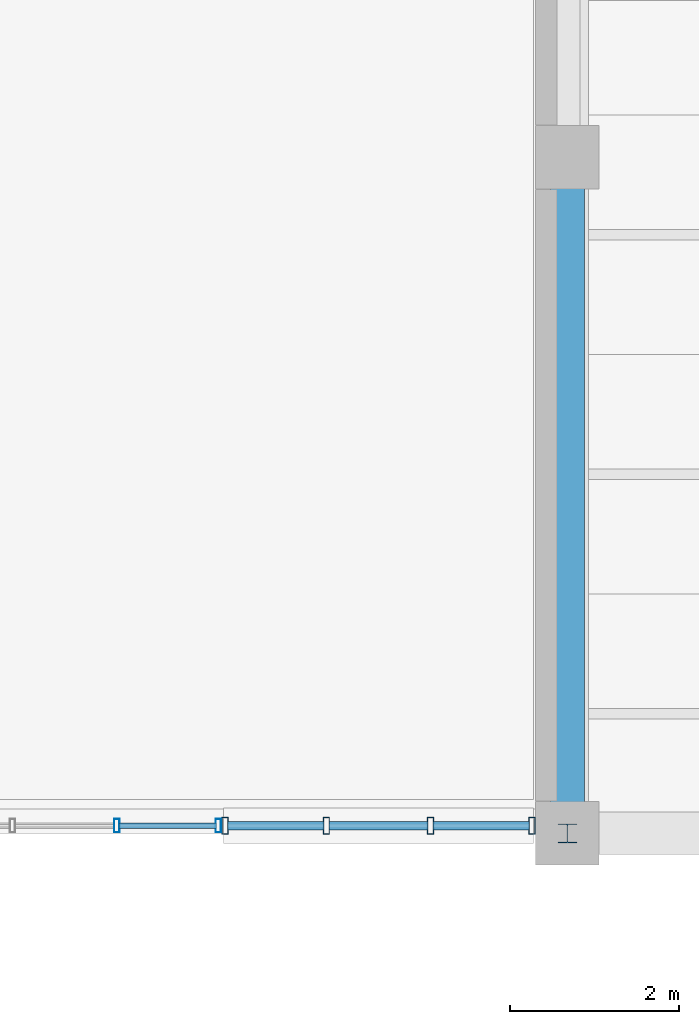
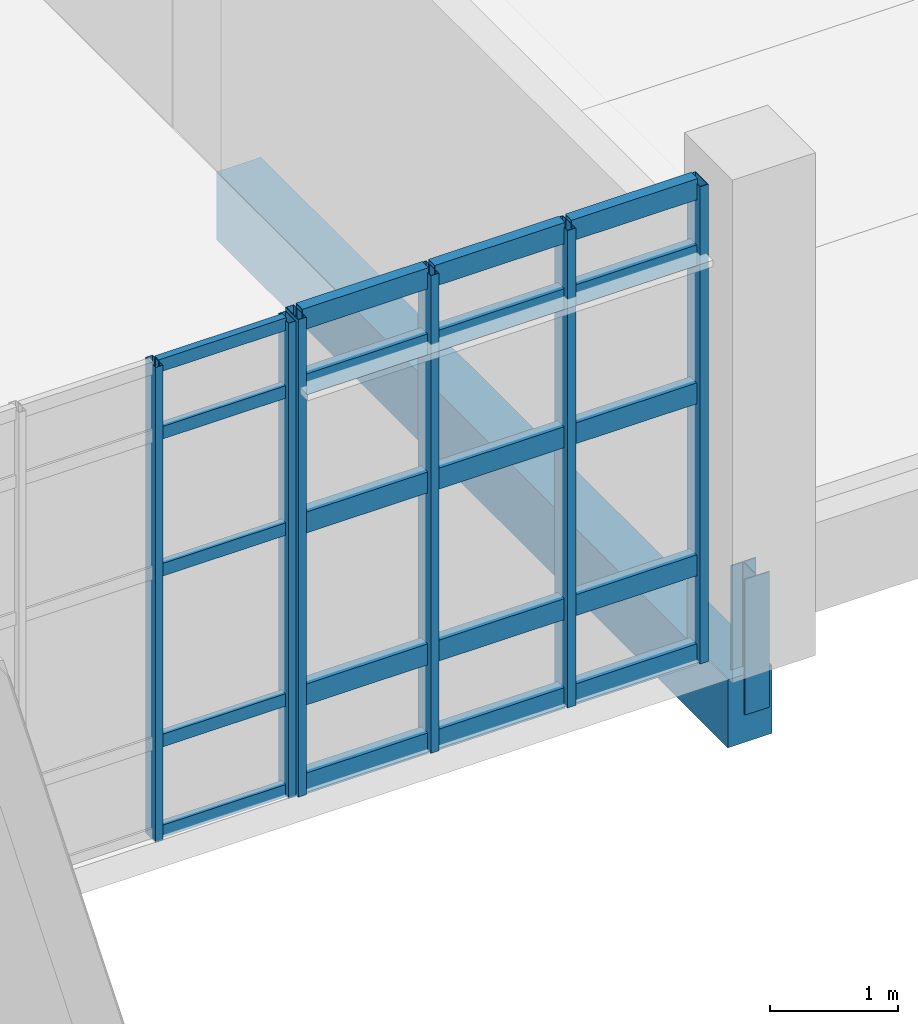
# One storey, part 39 of 100: 27 members, 1 beam, 2 elements without a shape of their own.
"""IFC4 building model written with IfcOpenShell, lengths in metres."""

from ifc_helpers import new_model, si_unit, derived_unit, direction, frame, origin, origin_2d, place, context, subcontext, project, spatial, rectangle, hollow_rectangle, i_section, extrude, material, layer, layer_set, material_profile, profile_set, type_object, element, aggregate, save


model = new_model("IFC4")

# Units and contexts
model_context = context("Model", 3, precision=1e-05, world=origin(), true_north=direction((0.0, 1.0)))
body_context = subcontext(model_context, "Body", "Model", "MODEL_VIEW")
ifc_project = project(units=[si_unit("LENGTHUNIT", "METRE"), si_unit("AREAUNIT", "SQUARE_METRE"), si_unit("VOLUMEUNIT", "CUBIC_METRE"), si_unit("PLANEANGLEUNIT", "RADIAN"), si_unit("MASSUNIT", "GRAM", prefix="KILO"), derived_unit("THERMALTRANSMITTANCEUNIT", [(si_unit("POWERUNIT", "WATT"), 1), (si_unit("LENGTHUNIT", "METRE"), -2), (si_unit("THERMODYNAMICTEMPERATUREUNIT", "KELVIN"), -1)])], contexts=[model_context])

# Site, building, storey
site_placement = place(None, origin())
site = spatial("IfcSite", under=ifc_project, at=site_placement, CompositionType="ELEMENT")
building_placement = place(site_placement, origin())
building = spatial("IfcBuilding", under=site, at=building_placement, Name="Nallur Shell Playhouse", CompositionType="ELEMENT")
storey_placement = place(building_placement, frame((0.0, 0.0, 10.199951171875)))
storey = spatial("IfcBuildingStorey", under=building, at=storey_placement, Name="L03", CompositionType="ELEMENT", Elevation=10.199951171875)

# Beam
ifc_material_1 = material(Name="Concrete M35", Category="concrete")
ifc_material_profile_1 = material_profile(ifc_material_1, rectangle(XDim=0.39990234375, YDim=0.64990234375, at=origin_2d()), Name="RC 400x650")
ifc_profile_set_1 = profile_set([ifc_material_profile_1], Name="Concrete M35")
beam_type = type_object("IfcBeamType", Name="BM-RC-400x650", PredefinedType="BEAM", material=ifc_profile_set_1)
beam_placement = place(storey_placement, frame((126.39990234375, 24.0, -0.5849609375), z_axis=(0.0, 1.0, 0.0), x_axis=(-1.0, 0.0, 0.0)))
element("IfcBeam", 1, at=beam_placement, inside=storey, type_object=beam_type, Name="L03 girder Y-16-671", PredefinedType="BEAM", context=body_context, shape_type="SweptSolid", body=[
    extrude(rectangle(XDim=0.39990234375, YDim=0.64990234375, at=origin_2d()), origin(), (0.0, 0.0, 1.0), 8.0),
])

# Curtain wall, members
ifc_material_2 = material(Name="Anodised Aluminium Double-Glazed Facade System", Category="aluminium")
ifc_layer_1 = layer(ifc_material_2, 0.1640625)
ifc_layer_set_1 = layer_set([ifc_layer_1], Name="Anodised Aluminium Double-Glazed Facade System")
curtain_wall_type_1 = type_object("IfcCurtainWallType", Name="CW-UNIT-01", PredefinedType="NOTDEFINED", material=ifc_layer_set_1)
curtain_wall_1_placement = place(storey_placement, origin())
curtain_wall_1 = element("IfcCurtainWall", 2, at=curtain_wall_1_placement, inside=storey, type_object=curtain_wall_type_1, Name="Unitised curtain wall CW-097 (L03)", PredefinedType="NOTDEFINED")
ifc_material_3 = material(Name="Aluminium Alloy 6063-T6 Mullion", Category="aluminium")
ifc_material_profile_2 = material_profile(ifc_material_3, hollow_rectangle(XDim=0.06494140625, YDim=0.159912109375, WallThickness=0.00390625, at=origin_2d()), Name="ALU 65x160x4")
ifc_profile_set_2 = profile_set([ifc_material_profile_2], Name="Aluminium Alloy 6063-T6 Mullion")
member_type_1 = type_object("IfcMemberType", Name="MB-CW-MUL160", PredefinedType="MULLION", material=ifc_profile_set_2)
member_1_placement = place(storey_placement, frame((122.27099609375, 24.090087890625, -0.014892578125), z_axis=(0.0, 0.0, 1.0), x_axis=(-1.0, 0.0, 0.0)))
member_1 = element("IfcMember", 3, at=member_1_placement, type_object=member_type_1, Name="CW-01 mullion 1", PredefinedType="MULLION", context=body_context, shape_type="SweptSolid", body=[
    extrude(hollow_rectangle(XDim=0.06494140625, YDim=0.159912109375, WallThickness=0.00390625, at=origin_2d()), origin(), (0.0, 0.0, 1.0), 4.5390625),
])
member_2_placement = place(storey_placement, frame((121.069091796875, 24.090087890625, -0.014892578125), z_axis=(0.0, 0.0, 1.0), x_axis=(-1.0, 0.0, 0.0)))
member_2 = element("IfcMember", 4, at=member_2_placement, type_object=member_type_1, Name="CW-01 mullion 2", PredefinedType="MULLION", context=body_context, shape_type="SweptSolid", body=[
    extrude(hollow_rectangle(XDim=0.06494140625, YDim=0.159912109375, WallThickness=0.00390625, at=origin_2d()), origin(), (0.0, 0.0, 1.0), 4.5390625),
])

ifc_layer_2 = layer(ifc_material_2, 0.16796875)
ifc_layer_set_2 = layer_set([ifc_layer_2], Name="Anodised Aluminium Double-Glazed Facade System")
curtain_wall_type_2 = type_object("IfcCurtainWallType", Name="CW-UNIT-32", PredefinedType="NOTDEFINED", material=ifc_layer_set_2)
curtain_wall_2_placement = place(storey_placement, origin())
curtain_wall_2 = element("IfcCurtainWall", 5, at=curtain_wall_2_placement, inside=storey, type_object=curtain_wall_type_2, Name="Unitised curtain wall CW-096 (L03)", PredefinedType="NOTDEFINED")
ifc_material_profile_3 = material_profile(ifc_material_3, hollow_rectangle(XDim=0.074951171875, YDim=0.199951171875, WallThickness=0.0048828125, at=origin_2d()), Name="ALU 75x200x5")
ifc_profile_set_3 = profile_set([ifc_material_profile_3], Name="Aluminium Alloy 6063-T6 Mullion")
member_type_2 = type_object("IfcMemberType", Name="MB-CW-MUL180", PredefinedType="MULLION", material=ifc_profile_set_3)
member_3_placement = place(storey_placement, frame((125.9794921875, 24.090087890625, -0.014892578125), z_axis=(0.0, 0.0, 1.0), x_axis=(-1.0, 0.0, 0.0)))
member_3 = element("IfcMember", 6, at=member_3_placement, type_object=member_type_2, Name="CW-32 mullion 1", PredefinedType="MULLION", context=body_context, shape_type="SweptSolid", body=[
    extrude(hollow_rectangle(XDim=0.074951171875, YDim=0.199951171875, WallThickness=0.0048828125, at=origin_2d()), origin(), (0.0, 0.0, 1.0), 4.558837890625),
])
member_4_placement = place(storey_placement, frame((124.782470703125, 24.090087890625, -0.014892578125), z_axis=(0.0, 0.0, 1.0), x_axis=(-1.0, 0.0, 0.0)))
member_4 = element("IfcMember", 7, at=member_4_placement, type_object=member_type_2, Name="CW-32 mullion 2", PredefinedType="MULLION", context=body_context, shape_type="SweptSolid", body=[
    extrude(hollow_rectangle(XDim=0.074951171875, YDim=0.199951171875, WallThickness=0.0048828125, at=origin_2d()), origin(), (0.0, 0.0, 1.0), 4.558837890625),
])
member_5_placement = place(storey_placement, frame((123.548095703125, 24.090087890625, -0.014892578125), z_axis=(0.0, 0.0, 1.0), x_axis=(-1.0, 0.0, 0.0)))
member_5 = element("IfcMember", 8, at=member_5_placement, type_object=member_type_2, Name="CW-32 mullion 3", PredefinedType="MULLION", context=body_context, shape_type="SweptSolid", body=[
    extrude(hollow_rectangle(XDim=0.074951171875, YDim=0.199951171875, WallThickness=0.0048828125, at=origin_2d()), origin(), (0.0, 0.0, 1.0), 4.558837890625),
])
member_6_placement = place(storey_placement, frame((122.35107421875, 24.090087890625, -0.014892578125), z_axis=(0.0, 0.0, 1.0), x_axis=(-1.0, 0.0, 0.0)))
member_6 = element("IfcMember", 9, at=member_6_placement, type_object=member_type_2, Name="CW-32 mullion 4", PredefinedType="MULLION", context=body_context, shape_type="SweptSolid", body=[
    extrude(hollow_rectangle(XDim=0.074951171875, YDim=0.199951171875, WallThickness=0.0048828125, at=origin_2d()), origin(), (0.0, 0.0, 1.0), 4.558837890625),
])

# Member
ifc_material_4 = material(Name="Aluminium Alloy 6063-T6 Transom", Category="aluminium")
ifc_material_profile_4 = material_profile(ifc_material_4, hollow_rectangle(XDim=0.06494140625, YDim=0.1201171875, WallThickness=0.00390625, at=origin_2d()), Name="ALU 65x120x4")
ifc_profile_set_4 = profile_set([ifc_material_profile_4], Name="Aluminium Alloy 6063-T6 Transom")
member_type_3 = type_object("IfcMemberType", Name="MB-CW-TRN120", PredefinedType="USERDEFINED", material=ifc_profile_set_4)
member_7_placement = place(storey_placement, frame((122.24658203125, 24.090087890625, 0.032470703125), z_axis=(-1.0, 0.0, 0.0), x_axis=(0.0, -1.0, 0.0)))
member_7 = element("IfcMember", 10, at=member_7_placement, type_object=member_type_3, Name="CW-01 transom 1.1", ObjectType="TRANSOM", PredefinedType="USERDEFINED", context=body_context, shape_type="SweptSolid", body=[
    extrude(hollow_rectangle(XDim=0.06494140625, YDim=0.1201171875, WallThickness=0.00390625, at=origin_2d()), origin(), (0.0, 0.0, 1.0), 1.153076171875),
])

member_8_placement = place(storey_placement, frame((122.24658203125, 24.090087890625, 0.900146484375), z_axis=(-1.0, 0.0, 0.0), x_axis=(0.0, -1.0, 0.0)))
member_8 = element("IfcMember", 11, at=member_8_placement, type_object=member_type_3, Name="CW-01 transom 1.2", ObjectType="TRANSOM", PredefinedType="USERDEFINED", context=body_context, shape_type="SweptSolid", body=[
    extrude(hollow_rectangle(XDim=0.06494140625, YDim=0.1201171875, WallThickness=0.00390625, at=origin_2d()), origin(), (0.0, 0.0, 1.0), 1.153076171875),
])

member_9_placement = place(storey_placement, frame((122.24658203125, 24.090087890625, 2.531005859375), z_axis=(-1.0, 0.0, 0.0), x_axis=(0.0, -1.0, 0.0)))
member_9 = element("IfcMember", 12, at=member_9_placement, type_object=member_type_3, Name="CW-01 transom 1.3", ObjectType="TRANSOM", PredefinedType="USERDEFINED", context=body_context, shape_type="SweptSolid", body=[
    extrude(hollow_rectangle(XDim=0.06494140625, YDim=0.1201171875, WallThickness=0.00390625, at=origin_2d()), origin(), (0.0, 0.0, 1.0), 1.153076171875),
])

member_10_placement = place(storey_placement, frame((122.24658203125, 24.090087890625, 3.840087890625), z_axis=(-1.0, 0.0, 0.0), x_axis=(0.0, -1.0, 0.0)))
member_10 = element("IfcMember", 13, at=member_10_placement, type_object=member_type_3, Name="CW-01 transom 1.4", ObjectType="TRANSOM", PredefinedType="USERDEFINED", context=body_context, shape_type="SweptSolid", body=[
    extrude(hollow_rectangle(XDim=0.06494140625, YDim=0.1201171875, WallThickness=0.00390625, at=origin_2d()), origin(), (0.0, 0.0, 1.0), 1.153076171875),
])

member_11_placement = place(storey_placement, frame((122.24658203125, 24.090087890625, 4.487548828125), z_axis=(-1.0, 0.0, 0.0), x_axis=(0.0, -1.0, 0.0)))
member_11 = element("IfcMember", 14, at=member_11_placement, type_object=member_type_3, Name="CW-01 transom 1.5", ObjectType="TRANSOM", PredefinedType="USERDEFINED", context=body_context, shape_type="SweptSolid", body=[
    extrude(hollow_rectangle(XDim=0.06494140625, YDim=0.1201171875, WallThickness=0.00390625, at=origin_2d()), origin(), (0.0, 0.0, 1.0), 1.153076171875),
])

aggregate(curtain_wall_1, [member_1, member_2, member_7, member_8, member_9, member_10, member_11])

ifc_material_profile_5 = material_profile(ifc_material_4, hollow_rectangle(XDim=0.10009765625, YDim=0.199951171875, WallThickness=0.008056640625, at=origin_2d()), Name="RHS 200x100x8")
ifc_profile_set_5 = profile_set([ifc_material_profile_5], Name="Aluminium Alloy 6063-T6 Transom")
member_type_4 = type_object("IfcMemberType", Name="MB-CW-TRN140", PredefinedType="USERDEFINED", material=ifc_profile_set_5)
member_12_placement = place(storey_placement, frame((125.949951171875, 24.090087890625, 0.050048828125), z_axis=(-1.0, 0.0, 0.0), x_axis=(0.0, -1.0, 0.0)))
member_12 = element("IfcMember", 15, at=member_12_placement, type_object=member_type_4, Name="CW-32 transom 1.1", ObjectType="TRANSOM", PredefinedType="USERDEFINED", context=body_context, shape_type="SweptSolid", body=[
    extrude(hollow_rectangle(XDim=0.10009765625, YDim=0.199951171875, WallThickness=0.008056640625, at=origin_2d()), origin(), (0.0, 0.0, 1.0), 1.137939453125),
])

member_13_placement = place(storey_placement, frame((125.949951171875, 24.090087890625, 0.900146484375), z_axis=(-1.0, 0.0, 0.0), x_axis=(0.0, -1.0, 0.0)))
member_13 = element("IfcMember", 16, at=member_13_placement, type_object=member_type_4, Name="CW-32 transom 1.2", ObjectType="TRANSOM", PredefinedType="USERDEFINED", context=body_context, shape_type="SweptSolid", body=[
    extrude(hollow_rectangle(XDim=0.10009765625, YDim=0.199951171875, WallThickness=0.008056640625, at=origin_2d()), origin(), (0.0, 0.0, 1.0), 1.137939453125),
])

member_14_placement = place(storey_placement, frame((125.949951171875, 24.090087890625, 2.5419921875), z_axis=(-1.0, 0.0, 0.0), x_axis=(0.0, -1.0, 0.0)))
member_14 = element("IfcMember", 17, at=member_14_placement, type_object=member_type_4, Name="CW-32 transom 1.3", ObjectType="TRANSOM", PredefinedType="USERDEFINED", context=body_context, shape_type="SweptSolid", body=[
    extrude(hollow_rectangle(XDim=0.10009765625, YDim=0.199951171875, WallThickness=0.008056640625, at=origin_2d()), origin(), (0.0, 0.0, 1.0), 1.137939453125),
])

member_15_placement = place(storey_placement, frame((125.949951171875, 24.090087890625, 3.860107421875), z_axis=(-1.0, 0.0, 0.0), x_axis=(0.0, -1.0, 0.0)))
member_15 = element("IfcMember", 18, at=member_15_placement, type_object=member_type_4, Name="CW-32 transom 1.4", ObjectType="TRANSOM", PredefinedType="USERDEFINED", context=body_context, shape_type="SweptSolid", body=[
    extrude(hollow_rectangle(XDim=0.10009765625, YDim=0.199951171875, WallThickness=0.008056640625, at=origin_2d()), origin(), (0.0, 0.0, 1.0), 1.137939453125),
])

member_16_placement = place(storey_placement, frame((125.949951171875, 24.090087890625, 4.489990234375), z_axis=(-1.0, 0.0, 0.0), x_axis=(0.0, -1.0, 0.0)))
member_16 = element("IfcMember", 19, at=member_16_placement, type_object=member_type_4, Name="CW-32 transom 1.5", ObjectType="TRANSOM", PredefinedType="USERDEFINED", context=body_context, shape_type="SweptSolid", body=[
    extrude(hollow_rectangle(XDim=0.10009765625, YDim=0.199951171875, WallThickness=0.008056640625, at=origin_2d()), origin(), (0.0, 0.0, 1.0), 1.137939453125),
])

member_17_placement = place(storey_placement, frame((124.7529296875, 24.090087890625, 0.050048828125), z_axis=(-1.0, 0.0, 0.0), x_axis=(0.0, -1.0, 0.0)))
member_17 = element("IfcMember", 20, at=member_17_placement, type_object=member_type_4, Name="CW-32 transom 2.1", ObjectType="TRANSOM", PredefinedType="USERDEFINED", context=body_context, shape_type="SweptSolid", body=[
    extrude(hollow_rectangle(XDim=0.10009765625, YDim=0.199951171875, WallThickness=0.008056640625, at=origin_2d()), origin(), (0.0, 0.0, 1.0), 1.175537109375),
])

member_18_placement = place(storey_placement, frame((124.7529296875, 24.090087890625, 0.900146484375), z_axis=(-1.0, 0.0, 0.0), x_axis=(0.0, -1.0, 0.0)))
member_18 = element("IfcMember", 21, at=member_18_placement, type_object=member_type_4, Name="CW-32 transom 2.2", ObjectType="TRANSOM", PredefinedType="USERDEFINED", context=body_context, shape_type="SweptSolid", body=[
    extrude(hollow_rectangle(XDim=0.10009765625, YDim=0.199951171875, WallThickness=0.008056640625, at=origin_2d()), origin(), (0.0, 0.0, 1.0), 1.175537109375),
])

member_19_placement = place(storey_placement, frame((124.7529296875, 24.090087890625, 2.5419921875), z_axis=(-1.0, 0.0, 0.0), x_axis=(0.0, -1.0, 0.0)))
member_19 = element("IfcMember", 22, at=member_19_placement, type_object=member_type_4, Name="CW-32 transom 2.3", ObjectType="TRANSOM", PredefinedType="USERDEFINED", context=body_context, shape_type="SweptSolid", body=[
    extrude(hollow_rectangle(XDim=0.10009765625, YDim=0.199951171875, WallThickness=0.008056640625, at=origin_2d()), origin(), (0.0, 0.0, 1.0), 1.175537109375),
])

member_20_placement = place(storey_placement, frame((124.7529296875, 24.090087890625, 3.860107421875), z_axis=(-1.0, 0.0, 0.0), x_axis=(0.0, -1.0, 0.0)))
member_20 = element("IfcMember", 23, at=member_20_placement, type_object=member_type_4, Name="CW-32 transom 2.4", ObjectType="TRANSOM", PredefinedType="USERDEFINED", context=body_context, shape_type="SweptSolid", body=[
    extrude(hollow_rectangle(XDim=0.10009765625, YDim=0.199951171875, WallThickness=0.008056640625, at=origin_2d()), origin(), (0.0, 0.0, 1.0), 1.175537109375),
])

member_21_placement = place(storey_placement, frame((124.7529296875, 24.090087890625, 4.489990234375), z_axis=(-1.0, 0.0, 0.0), x_axis=(0.0, -1.0, 0.0)))
member_21 = element("IfcMember", 24, at=member_21_placement, type_object=member_type_4, Name="CW-32 transom 2.5", ObjectType="TRANSOM", PredefinedType="USERDEFINED", context=body_context, shape_type="SweptSolid", body=[
    extrude(hollow_rectangle(XDim=0.10009765625, YDim=0.199951171875, WallThickness=0.008056640625, at=origin_2d()), origin(), (0.0, 0.0, 1.0), 1.175537109375),
])

member_22_placement = place(storey_placement, frame((123.5185546875, 24.090087890625, 0.050048828125), z_axis=(-1.0, 0.0, 0.0), x_axis=(0.0, -1.0, 0.0)))
member_22 = element("IfcMember", 25, at=member_22_placement, type_object=member_type_4, Name="CW-32 transom 3.1", ObjectType="TRANSOM", PredefinedType="USERDEFINED", context=body_context, shape_type="SweptSolid", body=[
    extrude(hollow_rectangle(XDim=0.10009765625, YDim=0.199951171875, WallThickness=0.008056640625, at=origin_2d()), origin(), (0.0, 0.0, 1.0), 1.137939453125),
])

member_23_placement = place(storey_placement, frame((123.5185546875, 24.090087890625, 0.900146484375), z_axis=(-1.0, 0.0, 0.0), x_axis=(0.0, -1.0, 0.0)))
member_23 = element("IfcMember", 26, at=member_23_placement, type_object=member_type_4, Name="CW-32 transom 3.2", ObjectType="TRANSOM", PredefinedType="USERDEFINED", context=body_context, shape_type="SweptSolid", body=[
    extrude(hollow_rectangle(XDim=0.10009765625, YDim=0.199951171875, WallThickness=0.008056640625, at=origin_2d()), origin(), (0.0, 0.0, 1.0), 1.137939453125),
])

member_24_placement = place(storey_placement, frame((123.5185546875, 24.090087890625, 2.5419921875), z_axis=(-1.0, 0.0, 0.0), x_axis=(0.0, -1.0, 0.0)))
member_24 = element("IfcMember", 27, at=member_24_placement, type_object=member_type_4, Name="CW-32 transom 3.3", ObjectType="TRANSOM", PredefinedType="USERDEFINED", context=body_context, shape_type="SweptSolid", body=[
    extrude(hollow_rectangle(XDim=0.10009765625, YDim=0.199951171875, WallThickness=0.008056640625, at=origin_2d()), origin(), (0.0, 0.0, 1.0), 1.137939453125),
])

member_25_placement = place(storey_placement, frame((123.5185546875, 24.090087890625, 3.860107421875), z_axis=(-1.0, 0.0, 0.0), x_axis=(0.0, -1.0, 0.0)))
member_25 = element("IfcMember", 28, at=member_25_placement, type_object=member_type_4, Name="CW-32 transom 3.4", ObjectType="TRANSOM", PredefinedType="USERDEFINED", context=body_context, shape_type="SweptSolid", body=[
    extrude(hollow_rectangle(XDim=0.10009765625, YDim=0.199951171875, WallThickness=0.008056640625, at=origin_2d()), origin(), (0.0, 0.0, 1.0), 1.137939453125),
])

member_26_placement = place(storey_placement, frame((123.5185546875, 24.090087890625, 4.489990234375), z_axis=(-1.0, 0.0, 0.0), x_axis=(0.0, -1.0, 0.0)))
member_26 = element("IfcMember", 29, at=member_26_placement, type_object=member_type_4, Name="CW-32 transom 3.5", ObjectType="TRANSOM", PredefinedType="USERDEFINED", context=body_context, shape_type="SweptSolid", body=[
    extrude(hollow_rectangle(XDim=0.10009765625, YDim=0.199951171875, WallThickness=0.008056640625, at=origin_2d()), origin(), (0.0, 0.0, 1.0), 1.137939453125),
])

aggregate(curtain_wall_2, [member_3, member_4, member_5, member_6, member_12, member_13, member_14, member_15, member_16, member_17, member_18, member_19, member_20, member_21, member_22, member_23, member_24, member_25, member_26])

ifc_material_5 = material(Name="Steel E350", Category="steel")
ifc_material_profile_6 = material_profile(ifc_material_5, i_section(OverallWidth=0.22509765625, OverallDepth=0.22509765625, WebThickness=0.008544921875, FlangeThickness=0.009033203125, FilletRadius=0.010009765625, at=origin_2d()), Name="ISHB 225")
ifc_profile_set_6 = profile_set([ifc_material_profile_6], Name="Steel E350")
member_type_5 = type_object("IfcMemberType", Name="MB-TR-POST", PredefinedType="POST", material=ifc_profile_set_6)
member_27_placement = place(storey_placement, frame((126.39990234375, 24.0, -0.56005859375), z_axis=(0.0, 0.0, 1.0), x_axis=(1.0, 0.0, 0.0)))
element("IfcMember", 30, at=member_27_placement, inside=storey, type_object=member_type_5, Name="Studio raker rear column post X=126.4", PredefinedType="POST", context=body_context, shape_type="SweptSolid", body=[
    extrude(i_section(OverallWidth=0.22509765625, OverallDepth=0.22509765625, WebThickness=0.008544921875, FlangeThickness=0.009033203125, FilletRadius=0.010009765625, at=origin_2d()), origin(), (0.0, 0.0, 1.0), 1.295166015625),
])

save(model, "model.ifc")
